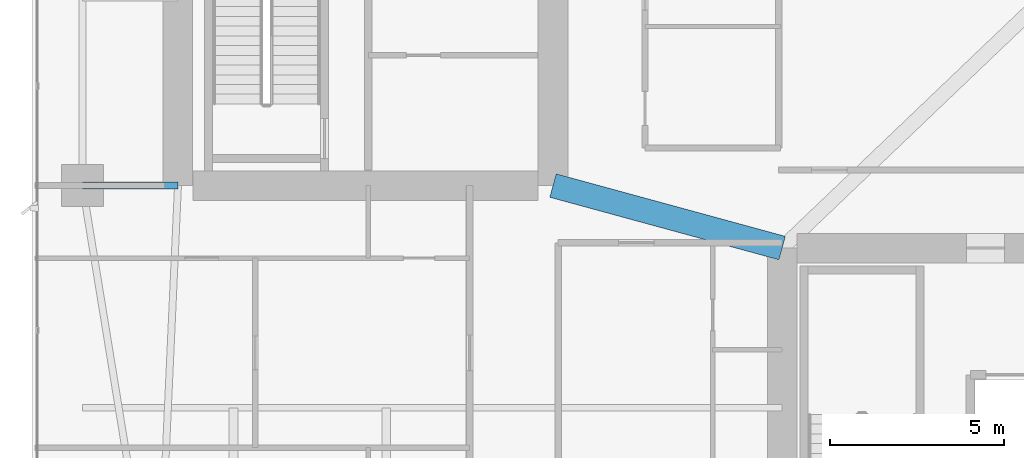
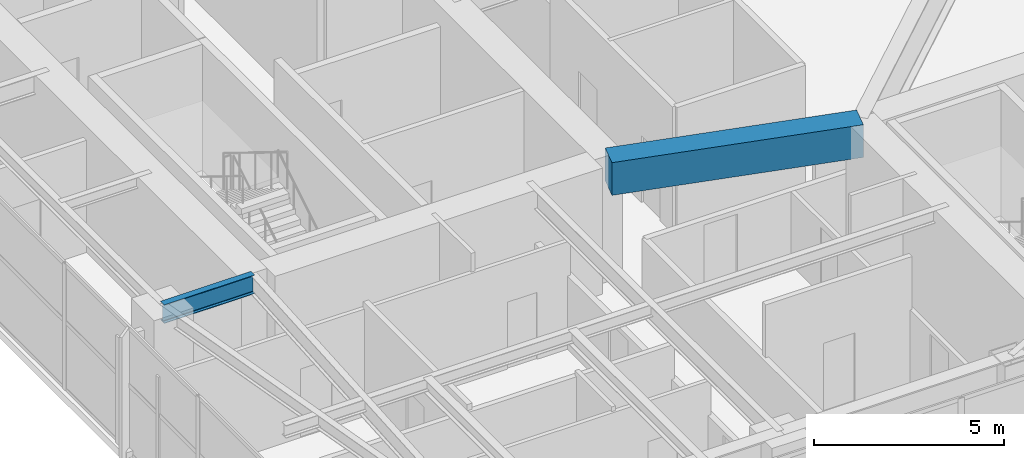
# One storey, part 8 of 30: 2 beams.
"""IFC4 building model written with IfcOpenShell, lengths in metres."""

from ifc_helpers import new_model, si_unit, direction, frame, origin, origin_2d, place, context, subcontext, project, spatial, rectangle, i_section, extrude, material, material_profile, profile_set, type_object, element, save


model = new_model("IFC4")

# Units and contexts
model_context = context("Model", 3, precision=1e-05, world=origin(), true_north=direction((0.0, 1.0)))
body_context = subcontext(model_context, "Body", "Model", "MODEL_VIEW")
ifc_project = project(units=[si_unit("LENGTHUNIT", "METRE"), si_unit("AREAUNIT", "SQUARE_METRE"), si_unit("VOLUMEUNIT", "CUBIC_METRE"), si_unit("PLANEANGLEUNIT", "RADIAN"), si_unit("MASSUNIT", "GRAM", prefix="KILO")], contexts=[model_context])

# Site, building, storey
site_placement = place(None, origin())
site = spatial("IfcSite", under=ifc_project, at=site_placement, CompositionType="ELEMENT")
building_placement = place(site_placement, origin())
building = spatial("IfcBuilding", under=site, at=building_placement, Name="Calvorn Quay Hotel", CompositionType="ELEMENT")
storey_placement = place(building_placement, frame((0.0, 0.0, 195.10009765625)))
storey = spatial("IfcBuildingStorey", under=building, at=storey_placement, Name="L48", CompositionType="ELEMENT", Elevation=195.10009765625)

# Beams
ifc_material_1 = material(Name="Steel Q355B", Category="steel")
ifc_material_profile_1 = material_profile(ifc_material_1, i_section(OverallWidth=0.199951171875, OverallDepth=0.60009765625, WebThickness=0.010986328125, FlangeThickness=0.01708984375, FilletRadius=0.01806640625, at=origin_2d()), Name="HN600x200x11x17")
ifc_profile_set_1 = profile_set([ifc_material_profile_1], Name="Steel Q355B")
beam_type_1 = type_object("IfcBeamType", Name="BM-GIRD-TYP", PredefinedType="BEAM", material=ifc_profile_set_1)
beam_1_placement = place(storey_placement, frame((1.449951171875, 16.800048828125, 3.75), z_axis=(1.0, 0.0, 0.0), x_axis=(0.0, 1.0, 0.0)))
element("IfcBeam", 1, at=beam_1_placement, inside=storey, type_object=beam_type_1, Name="Beam BG-L48-W1", PredefinedType="BEAM", context=body_context, shape_type="SweptSolid", body=[
    extrude(i_section(OverallWidth=0.199951171875, OverallDepth=0.60009765625, WebThickness=0.010986328125, FlangeThickness=0.01708984375, FilletRadius=0.01806640625, at=origin_2d()), origin(), (0.0, 0.0, 1.0), 2.75),
])
ifc_material_2 = material(Name="Concrete C50", Category="concrete")
ifc_material_profile_2 = material_profile(ifc_material_2, rectangle(XDim=0.699951171875, YDim=1.050048828125, at=origin_2d()), Name="RCB700x1050")
ifc_profile_set_2 = profile_set([ifc_material_profile_2], Name="Concrete C50")
beam_type_2 = type_object("IfcBeamType", Name="BM-RC-LINK-700x1050", PredefinedType="BEAM", material=ifc_profile_set_2)
beam_2_placement = place(storey_placement, frame((15.0, 16.800048828125, 3.52490234375), z_axis=(0.964762997686, -0.263120425462, 0.0), x_axis=(0.263120425462, 0.964762997686, 0.0)))
element("IfcBeam", 2, at=beam_2_placement, inside=storey, type_object=beam_type_2, Name="Beam BCL-L48-01", PredefinedType="BEAM", context=body_context, shape_type="SweptSolid", body=[
    extrude(rectangle(XDim=0.699951171875, YDim=1.050048828125, at=origin_2d()), origin(), (0.0, 0.0, 1.0), 6.841064453125),
])

save(model, "model.ifc")
